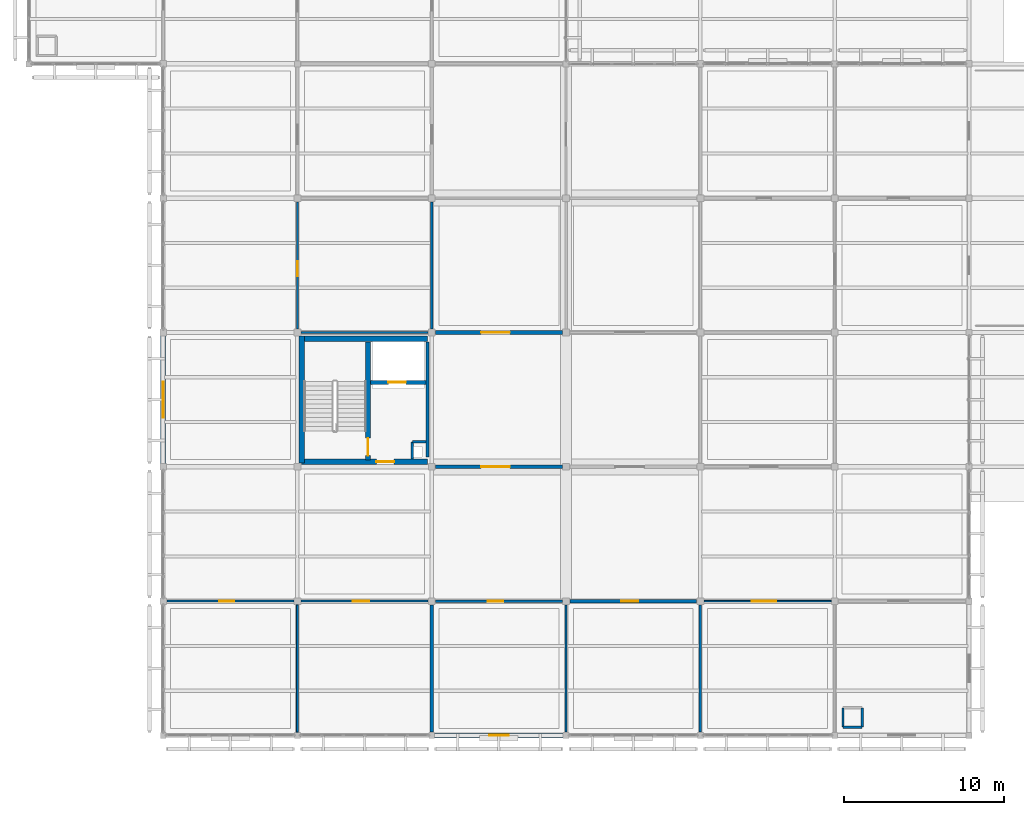
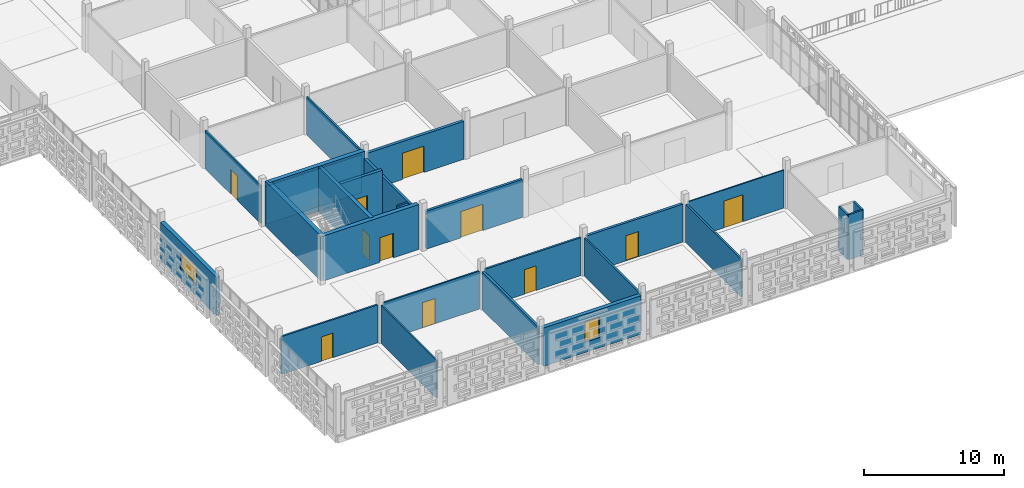
# One storey, part 96 of 166: 27 walls, 11 doors, 2 windows, 13 openings.
"""IFC4 building model written with IfcOpenShell, lengths in metres."""

from ifc_helpers import new_model, si_unit, direction, frame, frame_2d, origin, place, context, subcontext, project, spatial, rectangle, extrude, material, layer, layer_set, type_object, element, fill, save


model = new_model("IFC4")

# Units and contexts
model_context = context("Model", 3, precision=1e-05, world=origin(), true_north=direction((0.0, 1.0)))
body_context = subcontext(model_context, "Body", "Model", "MODEL_VIEW")
ifc_project = project(units=[si_unit("LENGTHUNIT", "METRE"), si_unit("AREAUNIT", "SQUARE_METRE"), si_unit("VOLUMEUNIT", "CUBIC_METRE"), si_unit("PLANEANGLEUNIT", "RADIAN"), si_unit("MASSUNIT", "GRAM", prefix="KILO")], contexts=[model_context])

# Site, building, storey
site_placement = place(None, origin())
site = spatial("IfcSite", under=ifc_project, at=site_placement, CompositionType="ELEMENT")
building_placement = place(site_placement, origin())
building = spatial("IfcBuilding", under=site, at=building_placement, Name="Varnapada Polytechnic", CompositionType="ELEMENT")
storey_placement = place(building_placement, frame((0.0, 0.0, 9.60009765625)))
storey = spatial("IfcBuildingStorey", under=building, at=storey_placement, Name="L02", CompositionType="ELEMENT", Elevation=9.60009765625)

# Walls
ifc_material_1 = material(Name="Autoclaved Aerated Concrete Block AAC-600", Category="concrete")
ifc_layer_1 = layer(ifc_material_1, 0.199951171875)
ifc_layer_set_1 = layer_set([ifc_layer_1], Name="Autoclaved Aerated Concrete Block AAC-600")
wall_type_1 = type_object("IfcWallType", Name="Interior Wall IW-01", PredefinedType="PARTITIONING", material=ifc_layer_set_1)
wall_1_placement = place(storey_placement, frame((24.93994140625, 24.60009765625, 0.0), z_axis=(0.0, 0.0, 1.0), x_axis=(0.0, -1.0, 0.0)))
element("IfcWall", 1, at=wall_1_placement, inside=storey, type_object=wall_type_1, Name="L02 C3 firefighting lobby east wall", PredefinedType="PARTITIONING", context=body_context, shape_type="SweptSolid", body=[
    extrude(rectangle(XDim=7.2001953125, YDim=0.199951171875, at=frame_2d((3.60009765625, 0.0))), origin(), (0.0, 0.0, 1.0), 3.31982421875),
])
ifc_layer_2 = layer(ifc_material_1, 0.14990234375)
ifc_layer_set_2 = layer_set([ifc_layer_2], Name="Autoclaved Aerated Concrete Block AAC-600")
wall_type_2 = type_object("IfcWallType", Name="Interior Wall IW-02", PredefinedType="PARTITIONING", material=ifc_layer_set_2)
wall_2_placement = place(storey_placement, frame((23.97998046875, 18.360107421875, 0.0), z_axis=(0.0, 0.0, 1.0), x_axis=(0.0, -1.0, 0.0)))
element("IfcWall", 2, at=wall_2_placement, inside=storey, type_object=wall_type_2, Name="L02 C3 riser shaft west wall", PredefinedType="PARTITIONING", context=body_context, shape_type="SweptSolid", body=[
    extrude(rectangle(XDim=1.06005859375, YDim=0.14990234375, at=frame_2d((0.530029296875, 0.0))), origin(), (0.0, 0.0, 1.0), 3.31982421875),
])
wall_3_placement = place(storey_placement, frame((23.97998046875, 18.360107421875, 0.0), z_axis=(0.0, 0.0, 1.0), x_axis=(1.0, 0.0, 0.0)))
element("IfcWall", 3, at=wall_3_placement, inside=storey, type_object=wall_type_2, Name="L02 C3 riser shaft north wall", PredefinedType="PARTITIONING", context=body_context, shape_type="SweptSolid", body=[
    extrude(rectangle(XDim=0.860107421875, YDim=0.14990234375, at=frame_2d((0.43017578125, 0.0))), origin(), (0.0, 0.0, 1.0), 3.31982421875),
])
wall_4_placement = place(storey_placement, frame((50.919921875, 0.52001953125, 0.0), z_axis=(0.0, 0.0, 1.0), x_axis=(1.0, 0.0, 0.0)))
element("IfcWall", 4, at=wall_4_placement, inside=storey, type_object=wall_type_2, Name="L02 enclosed service riser wall (7,1) S", PredefinedType="PARTITIONING", context=body_context, shape_type="SweptSolid", body=[
    extrude(rectangle(XDim=1.2001953125, YDim=0.14990234375, at=frame_2d((0.60009765625, 0.0))), origin(), (0.0, 0.0, 1.0), 3.929931640625),
])
for number, where, z_axis, x_axis, name in (
    (5, (52.1201171875, 0.52001953125, 0.0), (0.0, 0.0, 1.0), (0.0, 1.0, 0.0), "L02 enclosed service riser wall (7,1) E"),
    (6, (50.919921875, 1.719970703125, 0.0), (0.0, 0.0, 1.0), (0.0, -1.0, 0.0), "L02 enclosed service riser wall (7,1) W"),
):
    element("IfcWall", number, at=place(storey_placement, frame(where, z_axis=z_axis, x_axis=x_axis)), inside=storey, type_object=wall_type_2, Name=name, PredefinedType="PARTITIONING", context=body_context, shape_type="SweptSolid", body=[
        extrude(rectangle(XDim=1.199951171875, YDim=0.14990234375, at=frame_2d((0.60009765625, 0.0))), origin(), (0.0, 0.0, 1.0), 3.929931640625),
    ])
ifc_material_2 = material(Name="Gypsum Plasterboard Acoustic Partition")
ifc_layer_3 = layer(ifc_material_2, 0.125)
ifc_layer_set_3 = layer_set([ifc_layer_3], Name="Gypsum Plasterboard Acoustic Partition")
wall_type_3 = type_object("IfcWallType", Name="Interior Wall IW-03", PredefinedType="PARTITIONING", material=ifc_layer_set_3)
wall_5_placement = place(storey_placement, frame((16.800048828125, 0.199951171875, 0.0), z_axis=(0.0, 0.0, 1.0), x_axis=(0.0, 1.0, 0.0)))
element("IfcWall", 7, at=wall_5_placement, inside=storey, type_object=wall_type_3, Name="L02 interior partition IW-L02-01-00-V", PredefinedType="PARTITIONING", context=body_context, shape_type="SweptSolid", body=[
    extrude(rectangle(XDim=7.969970703125, YDim=0.125, at=frame_2d((3.98486328125, 0.0))), origin(), (0.0, 0.0, 1.0), 3.31982421875),
])

# Wall, opening, door
ifc_material_3 = material(Name="Moisture-Resistant Cement Board Partition")
ifc_layer_4 = layer(ifc_material_3, 0.139892578125)
ifc_layer_set_4 = layer_set([ifc_layer_4], Name="Moisture-Resistant Cement Board Partition")
wall_type_4 = type_object("IfcWallType", Name="Interior Wall IW-04", PredefinedType="PARTITIONING", material=ifc_layer_set_4)
wall_6_placement = place(storey_placement, frame((8.6298828125, 8.39990234375, 0.0), z_axis=(0.0, 0.0, 1.0), x_axis=(1.0, 0.0, 0.0)))
wall_6 = element("IfcWall", 8, at=wall_6_placement, inside=storey, type_object=wall_type_4, Name="L02 interior partition IW-L02-01-00-H", PredefinedType="PARTITIONING", context=body_context, shape_type="SweptSolid", body=[
    extrude(rectangle(XDim=7.940185546875, YDim=0.139892578125, at=frame_2d((3.97021484375, 0.0))), origin(), (0.0, 0.0, 1.0), 3.31982421875),
])
opening_1_placement = place(wall_6_placement, frame((3.27490234375, 0.0, 0.0)))
opening_1 = element("IfcOpeningElement", 9, at=opening_1_placement, cuts=wall_6, Name="Opening D-1106", PredefinedType="OPENING", context=body_context, shape_type="SweptSolid", body=[
    extrude(rectangle(XDim=0.949951171875, YDim=2.14990234375, at=frame_2d((0.47509765625, 1.074951171875))), frame((0.0, 0.079833984375, 0.0), z_axis=(0.0, -1.0, 0.0), x_axis=(1.0, 0.0, 0.0)), (0.0, 0.0, 1.0), 0.159912109375),
])
ifc_material_4 = material(Name="Moisture-Resistant HPL Timber", Category="wood")
door_type_1 = type_object("IfcDoorType", Name="Interior Door ID-03", OperationType="NOTDEFINED", PredefinedType="DOOR", material=ifc_material_4)
door_1_placement = place(opening_1_placement, frame((0.949951171875, 0.0, 0.0), z_axis=(0.0, 0.0, 1.0), x_axis=(-1.0, 0.0, 0.0)))
door_1 = element("IfcDoor", 10, at=door_1_placement, inside=storey, type_object=door_type_1, Name="L02 interior room door D-1106", OperationType="SINGLE_SWING_LEFT", OverallHeight=2.14990234375, OverallWidth=0.949951171875, PredefinedType="DOOR", context=body_context, shape_type="SweptSolid", body=[
    extrude(rectangle(XDim=0.949951171875, YDim=2.14990234375, at=frame_2d((0.47509765625, 1.074951171875))), frame((0.0, 0.02490234375, 0.0), z_axis=(0.0, -1.0, 0.0), x_axis=(1.0, 0.0, 0.0)), (0.0, 0.0, 1.0), 0.050048828125),
])
fill(opening_1, door_1)

wall_7_placement = place(storey_placement, frame((16.800048828125, 25.429931640625, 0.0), z_axis=(0.0, 0.0, 1.0), x_axis=(0.0, 1.0, 0.0)))
wall_7 = element("IfcWall", 11, at=wall_7_placement, inside=storey, type_object=wall_type_4, Name="L02 interior partition IW-L02-01-03-V", PredefinedType="PARTITIONING", context=body_context, shape_type="SweptSolid", body=[
    extrude(rectangle(XDim=7.940185546875, YDim=0.139892578125, at=frame_2d((3.97021484375, 0.0))), origin(), (0.0, 0.0, 1.0), 3.31982421875),
])
opening_2_placement = place(wall_7_placement, frame((3.27490234375, 0.0, 0.0)))
opening_2 = element("IfcOpeningElement", 12, at=opening_2_placement, cuts=wall_7, Name="Opening D-1107", PredefinedType="OPENING", context=body_context, shape_type="SweptSolid", body=[
    extrude(rectangle(XDim=0.949951171875, YDim=2.14990234375, at=frame_2d((0.47509765625, 1.074951171875))), frame((0.0, 0.079833984375, 0.0), z_axis=(0.0, -1.0, 0.0), x_axis=(1.0, 0.0, 0.0)), (0.0, 0.0, 1.0), 0.159912109375),
])
door_2_placement = place(opening_2_placement, origin())
door_2 = element("IfcDoor", 13, at=door_2_placement, inside=storey, type_object=door_type_1, Name="L02 interior room door D-1107", OperationType="SINGLE_SWING_RIGHT", OverallHeight=2.14990234375, OverallWidth=0.949951171875, PredefinedType="DOOR", context=body_context, shape_type="SweptSolid", body=[
    extrude(rectangle(XDim=0.949951171875, YDim=2.14990234375, at=frame_2d((0.47509765625, 1.074951171875))), frame((0.0, 0.02490234375, 0.0), z_axis=(0.0, -1.0, 0.0), x_axis=(1.0, 0.0, 0.0)), (0.0, 0.0, 1.0), 0.050048828125),
])
fill(opening_2, door_2)

# Walls
wall_8_placement = place(storey_placement, frame((17.030029296875, 25.199951171875, 0.0), z_axis=(0.0, 0.0, 1.0), x_axis=(1.0, 0.0, 0.0)))
element("IfcWall", 14, at=wall_8_placement, inside=storey, type_object=wall_type_4, Name="L02 interior partition IW-L02-02-02-H", PredefinedType="PARTITIONING", context=body_context, shape_type="SweptSolid", body=[
    extrude(rectangle(XDim=7.93994140625, YDim=0.139892578125, at=frame_2d((3.969970703125, 0.0))), origin(), (0.0, 0.0, 1.0), 3.31982421875),
])
wall_9_placement = place(storey_placement, frame((25.199951171875, 25.429931640625, 0.0), z_axis=(0.0, 0.0, 1.0), x_axis=(0.0, 1.0, 0.0)))
element("IfcWall", 15, at=wall_9_placement, inside=storey, type_object=wall_type_4, Name="L02 interior partition IW-L02-02-03-V", PredefinedType="PARTITIONING", context=body_context, shape_type="SweptSolid", body=[
    extrude(rectangle(XDim=7.940185546875, YDim=0.139892578125, at=frame_2d((3.97021484375, 0.0))), origin(), (0.0, 0.0, 1.0), 3.31982421875),
])

# Wall, opening, door
ifc_material_5 = material(Name="Operable Acoustic Seminar Partition")
ifc_layer_5 = layer(ifc_material_5, 0.10009765625)
ifc_layer_set_5 = layer_set([ifc_layer_5], Name="Operable Acoustic Seminar Partition")
wall_type_5 = type_object("IfcWallType", Name="Interior Wall IW-08", PredefinedType="MOVABLE", material=ifc_layer_set_5)
wall_10_placement = place(storey_placement, frame((42.22998046875, 8.39990234375, 0.0), z_axis=(0.0, 0.0, 1.0), x_axis=(1.0, 0.0, 0.0)))
wall_10 = element("IfcWall", 16, at=wall_10_placement, inside=storey, type_object=wall_type_5, Name="L02 interior partition IW-L02-05-00-H", PredefinedType="MOVABLE", context=body_context, shape_type="SweptSolid", body=[
    extrude(rectangle(XDim=7.93994140625, YDim=0.10009765625, at=frame_2d((3.969970703125, 0.0))), origin(), (0.0, 0.0, 1.0), 3.31982421875),
])
opening_3_placement = place(wall_10_placement, frame((2.97509765625, 0.0, 0.0)))
opening_3 = element("IfcOpeningElement", 17, at=opening_3_placement, cuts=wall_10, Name="Opening D-1132", PredefinedType="OPENING", context=body_context, shape_type="SweptSolid", body=[
    extrude(rectangle(XDim=1.550048828125, YDim=2.35009765625, at=frame_2d((0.77490234375, 1.175048828125))), frame((0.0, 0.06005859375, 0.0), z_axis=(0.0, -1.0, 0.0), x_axis=(1.0, 0.0, 0.0)), (0.0, 0.0, 1.0), 0.1201171875),
])
ifc_material_6 = material(Name="Galvanized Steel Z275", Category="steel")
door_type_2 = type_object("IfcDoorType", Name="Interior Door ID-12", OperationType="NOTDEFINED", PredefinedType="DOOR", material=ifc_material_6)
door_3_placement = place(opening_3_placement, origin())
door_3 = element("IfcDoor", 18, at=door_3_placement, inside=storey, type_object=door_type_2, Name="L02 interior room door D-1132", OperationType="SINGLE_SWING_LEFT", OverallHeight=2.35009765625, OverallWidth=1.550048828125, PredefinedType="DOOR", context=body_context, shape_type="SweptSolid", body=[
    extrude(rectangle(XDim=1.550048828125, YDim=2.35009765625, at=frame_2d((0.77490234375, 1.175048828125))), frame((0.0, 0.02490234375, 0.0), z_axis=(0.0, -1.0, 0.0), x_axis=(1.0, 0.0, 0.0)), (0.0, 0.0, 1.0), 0.050048828125),
])
fill(opening_3, door_3)

# Wall
ifc_material_7 = material(Name="Insulated Masonry Plant Room Wall", Category="masonry")
ifc_layer_6 = layer(ifc_material_7, 0.18994140625)
ifc_layer_set_6 = layer_set([ifc_layer_6], Name="Insulated Masonry Plant Room Wall")
wall_type_6 = type_object("IfcWallType", Name="Interior Wall IW-11", PredefinedType="PARTITIONING", material=ifc_layer_set_6)
wall_11_placement = place(storey_placement, frame((25.199951171875, 0.199951171875, 0.0), z_axis=(0.0, 0.0, 1.0), x_axis=(0.0, 1.0, 0.0)))
element("IfcWall", 19, at=wall_11_placement, inside=storey, type_object=wall_type_6, Name="L02 interior partition IW-L02-02-00-V", PredefinedType="PARTITIONING", context=body_context, shape_type="SweptSolid", body=[
    extrude(rectangle(XDim=7.969970703125, YDim=0.18994140625, at=frame_2d((3.98486328125, 0.0))), origin(), (0.0, 0.0, 1.0), 3.31982421875),
])

# Wall, opening, door
ifc_material_8 = material(Name="Timber-Stud Studio Critique Partition", Category="wood")
ifc_layer_7 = layer(ifc_material_8, 0.114990234375)
ifc_layer_set_7 = layer_set([ifc_layer_7], Name="Timber-Stud Studio Critique Partition")
wall_type_7 = type_object("IfcWallType", Name="Interior Wall IW-12", PredefinedType="PARTITIONING", material=ifc_layer_set_7)
wall_12_placement = place(storey_placement, frame((17.030029296875, 8.39990234375, 0.0), z_axis=(0.0, 0.0, 1.0), x_axis=(1.0, 0.0, 0.0)))
wall_12 = element("IfcWall", 20, at=wall_12_placement, inside=storey, type_object=wall_type_7, Name="L02 interior partition IW-L02-02-00-H", PredefinedType="PARTITIONING", context=body_context, shape_type="SweptSolid", body=[
    extrude(rectangle(XDim=7.93994140625, YDim=0.114990234375, at=frame_2d((3.969970703125, 0.0))), origin(), (0.0, 0.0, 1.0), 3.31982421875),
])
opening_4_placement = place(wall_12_placement, frame((3.22509765625, 0.0, 0.0)))
opening_4 = element("IfcOpeningElement", 21, at=opening_4_placement, cuts=wall_12, Name="Opening D-1112", PredefinedType="OPENING", context=body_context, shape_type="SweptSolid", body=[
    extrude(rectangle(XDim=1.050048828125, YDim=2.199951171875, at=frame_2d((0.52490234375, 1.10009765625))), frame((0.0, 0.0673828125, 0.0), z_axis=(0.0, -1.0, 0.0), x_axis=(1.0, 0.0, 0.0)), (0.0, 0.0, 1.0), 0.135009765625),
])
ifc_material_9 = material(Name="Solid Teak Hardwood Timber", Category="wood")
door_type_3 = type_object("IfcDoorType", Name="Interior Door ID-09", OperationType="NOTDEFINED", PredefinedType="DOOR", material=ifc_material_9)
door_4_placement = place(opening_4_placement, frame((1.050048828125, 0.0, 0.0), z_axis=(0.0, 0.0, 1.0), x_axis=(-1.0, 0.0, 0.0)))
door_4 = element("IfcDoor", 22, at=door_4_placement, inside=storey, type_object=door_type_3, Name="L02 interior room door D-1112", OperationType="SINGLE_SWING_LEFT", OverallHeight=2.199951171875, OverallWidth=1.050048828125, PredefinedType="DOOR", context=body_context, shape_type="SweptSolid", body=[
    extrude(rectangle(XDim=1.050048828125, YDim=2.199951171875, at=frame_2d((0.52490234375, 1.10009765625))), frame((0.0, 0.02490234375, 0.0), z_axis=(0.0, -1.0, 0.0), x_axis=(1.0, 0.0, 0.0)), (0.0, 0.0, 1.0), 0.050048828125),
])
fill(opening_4, door_4)

# Wall
ifc_material_10 = material(Name="Ceramic-Tiled Wet Laboratory Wall")
ifc_layer_8 = layer(ifc_material_10, 0.14501953125)
ifc_layer_set_8 = layer_set([ifc_layer_8], Name="Ceramic-Tiled Wet Laboratory Wall")
wall_type_8 = type_object("IfcWallType", Name="Interior Wall IW-14", PredefinedType="PARTITIONING", material=ifc_layer_set_8)
wall_13_placement = place(storey_placement, frame((33.60009765625, 0.199951171875, 0.0), z_axis=(0.0, 0.0, 1.0), x_axis=(0.0, 1.0, 0.0)))
element("IfcWall", 23, at=wall_13_placement, inside=storey, type_object=wall_type_8, Name="L02 interior partition IW-L02-03-00-V", PredefinedType="PARTITIONING", context=body_context, shape_type="SweptSolid", body=[
    extrude(rectangle(XDim=7.969970703125, YDim=0.14501953125, at=frame_2d((3.98486328125, 0.0))), origin(), (0.0, 0.0, 1.0), 3.31982421875),
])

# Wall, opening, door
ifc_material_11 = material(Name="Perforated Timber-Lined Seminar Wall", Category="wood")
ifc_layer_9 = layer(ifc_material_11, 0.155029296875)
ifc_layer_set_9 = layer_set([ifc_layer_9], Name="Perforated Timber-Lined Seminar Wall")
wall_type_9 = type_object("IfcWallType", Name="Interior Wall IW-15", PredefinedType="PARTITIONING", material=ifc_layer_set_9)
wall_14_placement = place(storey_placement, frame((25.429931640625, 8.39990234375, 0.0), z_axis=(0.0, 0.0, 1.0), x_axis=(1.0, 0.0, 0.0)))
wall_14 = element("IfcWall", 24, at=wall_14_placement, inside=storey, type_object=wall_type_9, Name="L02 interior partition IW-L02-03-00-H", PredefinedType="PARTITIONING", context=body_context, shape_type="SweptSolid", body=[
    extrude(rectangle(XDim=7.940185546875, YDim=0.155029296875, at=frame_2d((3.97021484375, 0.0))), origin(), (0.0, 0.0, 1.0), 3.31982421875),
])
opening_5_placement = place(wall_14_placement, frame((3.27490234375, 0.0, 0.0)))
opening_5 = element("IfcOpeningElement", 25, at=opening_5_placement, cuts=wall_14, Name="Opening D-1123", PredefinedType="OPENING", context=body_context, shape_type="SweptSolid", body=[
    extrude(rectangle(XDim=0.949951171875, YDim=2.14990234375, at=frame_2d((0.47509765625, 1.074951171875))), frame((0.0, 0.08740234375, 0.0), z_axis=(0.0, -1.0, 0.0), x_axis=(1.0, 0.0, 0.0)), (0.0, 0.0, 1.0), 0.175048828125),
])
door_5_placement = place(opening_5_placement, origin())
door_5 = element("IfcDoor", 26, at=door_5_placement, inside=storey, type_object=door_type_1, Name="L02 interior room door D-1123", OperationType="SINGLE_SWING_RIGHT", OverallHeight=2.14990234375, OverallWidth=0.949951171875, PredefinedType="DOOR", context=body_context, shape_type="SweptSolid", body=[
    extrude(rectangle(XDim=0.949951171875, YDim=2.14990234375, at=frame_2d((0.47509765625, 1.074951171875))), frame((0.0, 0.02490234375, 0.0), z_axis=(0.0, -1.0, 0.0), x_axis=(1.0, 0.0, 0.0)), (0.0, 0.0, 1.0), 0.050048828125),
])
fill(opening_5, door_5)

# Wall
wall_15_placement = place(storey_placement, frame((42.0, 0.199951171875, 0.0), z_axis=(0.0, 0.0, 1.0), x_axis=(0.0, 1.0, 0.0)))
element("IfcWall", 27, at=wall_15_placement, inside=storey, type_object=wall_type_9, Name="L02 interior partition IW-L02-04-00-V", PredefinedType="PARTITIONING", context=body_context, shape_type="SweptSolid", body=[
    extrude(rectangle(XDim=7.969970703125, YDim=0.155029296875, at=frame_2d((3.98486328125, 0.0))), origin(), (0.0, 0.0, 1.0), 3.31982421875),
])

# Wall, opening, door
ifc_material_12 = material(Name="Heavy Masonry Workshop Partition", Category="masonry")
ifc_layer_10 = layer(ifc_material_12, 0.2099609375)
ifc_layer_set_10 = layer_set([ifc_layer_10], Name="Heavy Masonry Workshop Partition")
wall_type_10 = type_object("IfcWallType", Name="Interior Wall IW-16", PredefinedType="PARTITIONING", material=ifc_layer_set_10)
wall_16_placement = place(storey_placement, frame((25.429931640625, 16.800048828125, 0.0), z_axis=(0.0, 0.0, 1.0), x_axis=(1.0, 0.0, 0.0)))
wall_16 = element("IfcWall", 28, at=wall_16_placement, inside=storey, type_object=wall_type_10, Name="L02 interior partition IW-L02-03-01-H", PredefinedType="PARTITIONING", context=body_context, shape_type="SweptSolid", body=[
    extrude(rectangle(XDim=7.940185546875, YDim=0.2099609375, at=frame_2d((3.97021484375, 0.0))), origin(), (0.0, 0.0, 1.0), 3.31982421875),
])
opening_6_placement = place(wall_16_placement, frame((2.85009765625, 0.0, 0.0)))
opening_6 = element("IfcOpeningElement", 29, at=opening_6_placement, cuts=wall_16, Name="Opening D-1124", PredefinedType="OPENING", context=body_context, shape_type="SweptSolid", body=[
    extrude(rectangle(XDim=1.800048828125, YDim=2.300048828125, at=frame_2d((0.89990234375, 1.14990234375))), frame((0.0, 0.114990234375, 0.0), z_axis=(0.0, -1.0, 0.0), x_axis=(1.0, 0.0, 0.0)), (0.0, 0.0, 1.0), 0.22998046875),
])
ifc_material_13 = material(Name="Acoustic Double Timber Leaf", Category="wood")
door_type_4 = type_object("IfcDoorType", Name="Interior Door ID-04", OperationType="NOTDEFINED", PredefinedType="DOOR", material=ifc_material_13)
door_6_placement = place(opening_6_placement, frame((1.800048828125, 0.0, 0.0), z_axis=(0.0, 0.0, 1.0), x_axis=(-1.0, 0.0, 0.0)))
door_6 = element("IfcDoor", 30, at=door_6_placement, inside=storey, type_object=door_type_4, Name="L02 interior room door D-1124", OperationType="SINGLE_SWING_LEFT", OverallHeight=2.300048828125, OverallWidth=1.800048828125, PredefinedType="DOOR", context=body_context, shape_type="SweptSolid", body=[
    extrude(rectangle(XDim=1.800048828125, YDim=2.300048828125, at=frame_2d((0.89990234375, 1.14990234375))), frame((0.0, 0.02490234375, 0.0), z_axis=(0.0, -1.0, 0.0), x_axis=(1.0, 0.0, 0.0)), (0.0, 0.0, 1.0), 0.050048828125),
])
fill(opening_6, door_6)

wall_17_placement = place(storey_placement, frame((33.830078125, 8.39990234375, 0.0), z_axis=(0.0, 0.0, 1.0), x_axis=(1.0, 0.0, 0.0)))
wall_17 = element("IfcWall", 31, at=wall_17_placement, inside=storey, type_object=wall_type_10, Name="L02 interior partition IW-L02-04-00-H", PredefinedType="PARTITIONING", context=body_context, shape_type="SweptSolid", body=[
    extrude(rectangle(XDim=7.93994140625, YDim=0.2099609375, at=frame_2d((3.969970703125, 0.0))), origin(), (0.0, 0.0, 1.0), 3.31982421875),
])
opening_7_placement = place(wall_17_placement, frame((3.22509765625, 0.0, 0.0)))
opening_7 = element("IfcOpeningElement", 32, at=opening_7_placement, cuts=wall_17, Name="Opening D-1129", PredefinedType="OPENING", context=body_context, shape_type="SweptSolid", body=[
    extrude(rectangle(XDim=1.050048828125, YDim=2.199951171875, at=frame_2d((0.52490234375, 1.10009765625))), frame((0.0, 0.114990234375, 0.0), z_axis=(0.0, -1.0, 0.0), x_axis=(1.0, 0.0, 0.0)), (0.0, 0.0, 1.0), 0.22998046875),
])
door_7_placement = place(opening_7_placement, origin())
door_7 = element("IfcDoor", 33, at=door_7_placement, inside=storey, type_object=door_type_3, Name="L02 interior room door D-1129", OperationType="SINGLE_SWING_RIGHT", OverallHeight=2.199951171875, OverallWidth=1.050048828125, PredefinedType="DOOR", context=body_context, shape_type="SweptSolid", body=[
    extrude(rectangle(XDim=1.050048828125, YDim=2.199951171875, at=frame_2d((0.52490234375, 1.10009765625))), frame((0.0, 0.02490234375, 0.0), z_axis=(0.0, -1.0, 0.0), x_axis=(1.0, 0.0, 0.0)), (0.0, 0.0, 1.0), 0.050048828125),
])
fill(opening_7, door_7)

ifc_material_14 = material(Name="Double-Leaf Acoustic Lecture Wall")
ifc_layer_11 = layer(ifc_material_14, 0.235107421875)
ifc_layer_set_11 = layer_set([ifc_layer_11], Name="Double-Leaf Acoustic Lecture Wall")
wall_type_11 = type_object("IfcWallType", Name="Interior Wall IW-17", PredefinedType="PARTITIONING", material=ifc_layer_set_11)
wall_18_placement = place(storey_placement, frame((25.429931640625, 25.199951171875, 0.0), z_axis=(0.0, 0.0, 1.0), x_axis=(1.0, 0.0, 0.0)))
wall_18 = element("IfcWall", 34, at=wall_18_placement, inside=storey, type_object=wall_type_11, Name="L02 interior partition IW-L02-03-02-H", PredefinedType="PARTITIONING", context=body_context, shape_type="SweptSolid", body=[
    extrude(rectangle(XDim=7.940185546875, YDim=0.235107421875, at=frame_2d((3.97021484375, 0.0))), origin(), (0.0, 0.0, 1.0), 3.31982421875),
])
opening_8_placement = place(wall_18_placement, frame((2.85009765625, 0.0, 0.0)))
opening_8 = element("IfcOpeningElement", 35, at=opening_8_placement, cuts=wall_18, Name="Opening D-1125", PredefinedType="OPENING", context=body_context, shape_type="SweptSolid", body=[
    extrude(rectangle(XDim=1.800048828125, YDim=2.300048828125, at=frame_2d((0.89990234375, 1.14990234375))), frame((0.0, 0.12744140625, 0.0), z_axis=(0.0, -1.0, 0.0), x_axis=(1.0, 0.0, 0.0)), (0.0, 0.0, 1.0), 0.255126953125),
])
door_8_placement = place(opening_8_placement, origin())
door_8 = element("IfcDoor", 36, at=door_8_placement, inside=storey, type_object=door_type_4, Name="L02 interior room door D-1125", OperationType="SINGLE_SWING_RIGHT", OverallHeight=2.300048828125, OverallWidth=1.800048828125, PredefinedType="DOOR", context=body_context, shape_type="SweptSolid", body=[
    extrude(rectangle(XDim=1.800048828125, YDim=2.300048828125, at=frame_2d((0.89990234375, 1.14990234375))), frame((0.0, 0.02490234375, 0.0), z_axis=(0.0, -1.0, 0.0), x_axis=(1.0, 0.0, 0.0)), (0.0, 0.0, 1.0), 0.050048828125),
])
fill(opening_8, door_8)

# Walls
ifc_material_15 = material(Name="Concrete C40/50", Category="concrete")
ifc_layer_12 = layer(ifc_material_15, 0.35009765625)
ifc_layer_set_12 = layer_set([ifc_layer_12], Name="Concrete C40/50")
wall_type_12 = type_object("IfcWallType", Name="Interior Wall SW-01", PredefinedType="SHEAR", material=ifc_layer_set_12)
wall_19_placement = place(storey_placement, frame((17.06494140625, 17.050048828125, 0.0), z_axis=(0.0, 0.0, 1.0), x_axis=(0.0, 1.0, 0.0)))
element("IfcWall", 37, at=wall_19_placement, inside=storey, type_object=wall_type_12, Name="L02 C3 stair west shear wall", PredefinedType="SHEAR", context=body_context, shape_type="SweptSolid", body=[
    extrude(rectangle(XDim=7.93994140625, YDim=0.35009765625, at=frame_2d((3.969970703125, 0.0))), origin(), (0.0, 0.0, 1.0), 3.929931640625),
])
wall_20_placement = place(storey_placement, frame((17.06494140625, 24.820068359375, 0.0), z_axis=(0.0, 0.0, 1.0), x_axis=(1.0, 0.0, 0.0)))
element("IfcWall", 38, at=wall_20_placement, inside=storey, type_object=wall_type_12, Name="L02 C3 core north shear wall", PredefinedType="SHEAR", context=body_context, shape_type="SweptSolid", body=[
    extrude(rectangle(XDim=7.875, YDim=0.35009765625, at=frame_2d((3.9375, 0.0))), origin(), (0.0, 0.0, 1.0), 3.929931640625),
])

# Wall, opening, door
wall_21_placement = place(storey_placement, frame((24.93994140625, 17.1201171875, 0.0), z_axis=(0.0, 0.0, 1.0), x_axis=(-1.0, 0.0, 0.0)))
wall_21 = element("IfcWall", 39, at=wall_21_placement, inside=storey, type_object=wall_type_12, Name="L02 C3 core south shear wall", PredefinedType="SHEAR", context=body_context, shape_type="SweptSolid", body=[
    extrude(rectangle(XDim=7.875, YDim=0.35009765625, at=frame_2d((3.9375, 0.0))), origin(), (0.0, 0.0, 1.0), 3.929931640625),
])
opening_9_placement = place(wall_21_placement, frame((2.10009765625, 0.0, 0.0)))
opening_9 = element("IfcOpeningElement", 40, at=opening_9_placement, cuts=wall_21, Name="Opening D-1088", PredefinedType="OPENING", context=body_context, shape_type="SweptSolid", body=[
    extrude(rectangle(XDim=1.10009765625, YDim=2.14990234375, at=frame_2d((0.550048828125, 1.074951171875))), frame((0.0, 0.18505859375, 0.0), z_axis=(0.0, -1.0, 0.0), x_axis=(1.0, 0.0, 0.0)), (0.0, 0.0, 1.0), 0.3701171875),
])
door_type_5 = type_object("IfcDoorType", Name="Interior Door ID-01", OperationType="NOTDEFINED", PredefinedType="DOOR", material=ifc_material_6)
door_9_placement = place(opening_9_placement, frame((1.10009765625, 0.0, 0.0), z_axis=(0.0, 0.0, 1.0), x_axis=(-1.0, 0.0, 0.0)))
door_9 = element("IfcDoor", 41, at=door_9_placement, inside=storey, type_object=door_type_5, Name="L02 C3 lobby fire door D-1088", OperationType="SINGLE_SWING_RIGHT", OverallHeight=2.14990234375, OverallWidth=1.10009765625, PredefinedType="DOOR", context=body_context, shape_type="SweptSolid", body=[
    extrude(rectangle(XDim=1.10009765625, YDim=2.14990234375, at=frame_2d((0.550048828125, 1.074951171875))), frame((0.0, 0.02490234375, 0.0), z_axis=(0.0, -1.0, 0.0), x_axis=(1.0, 0.0, 0.0)), (0.0, 0.0, 1.0), 0.050048828125),
])
fill(opening_9, door_9)

ifc_layer_13 = layer(ifc_material_15, 0.300048828125)
ifc_layer_set_13 = layer_set([ifc_layer_13], Name="Concrete C40/50")
wall_type_13 = type_object("IfcWallType", Name="Interior Wall SW-02", PredefinedType="SHEAR", material=ifc_layer_set_13)
wall_22_placement = place(storey_placement, frame((21.2099609375, 17.219970703125, 0.0), z_axis=(0.0, 0.0, 1.0), x_axis=(0.0, 1.0, 0.0)))
wall_22 = element("IfcWall", 42, at=wall_22_placement, inside=storey, type_object=wall_type_13, Name="L02 C3 stair-lobby dividing shear wall", PredefinedType="SHEAR", context=body_context, shape_type="SweptSolid", body=[
    extrude(rectangle(XDim=7.380126953125, YDim=0.300048828125, at=frame_2d((3.68994140625, 0.0))), origin(), (0.0, 0.0, 1.0), 3.929931640625),
])
opening_10_placement = place(wall_22_placement, frame((0.280029296875, 0.0, 0.0)))
opening_10 = element("IfcOpeningElement", 43, at=opening_10_placement, cuts=wall_22, Name="Opening D-1089", PredefinedType="OPENING", context=body_context, shape_type="SweptSolid", body=[
    extrude(rectangle(XDim=1.10009765625, YDim=2.14990234375, at=frame_2d((0.550048828125, 1.074951171875))), frame((0.0, 0.159912109375, 0.0), z_axis=(0.0, -1.0, 0.0), x_axis=(1.0, 0.0, 0.0)), (0.0, 0.0, 1.0), 0.320068359375),
])
door_10_placement = place(opening_10_placement, origin())
door_10 = element("IfcDoor", 44, at=door_10_placement, inside=storey, type_object=door_type_5, Name="L02 C3 exit stair door D-1089", OperationType="SINGLE_SWING_RIGHT", OverallHeight=2.14990234375, OverallWidth=1.10009765625, PredefinedType="DOOR", context=body_context, shape_type="SweptSolid", body=[
    extrude(rectangle(XDim=1.10009765625, YDim=2.14990234375, at=frame_2d((0.550048828125, 1.074951171875))), frame((0.0, 0.02490234375, 0.0), z_axis=(0.0, -1.0, 0.0), x_axis=(1.0, 0.0, 0.0)), (0.0, 0.0, 1.0), 0.050048828125),
])
fill(opening_10, door_10)

ifc_layer_14 = layer(ifc_material_15, 0.25)
ifc_layer_set_14 = layer_set([ifc_layer_14], Name="Concrete C40/50")
wall_type_14 = type_object("IfcWallType", Name="Interior Wall SW-05", PredefinedType="SHEAR", material=ifc_layer_set_14)
wall_23_placement = place(storey_placement, frame((21.3798828125, 22.080078125, 0.0), z_axis=(0.0, 0.0, 1.0), x_axis=(1.0, 0.0, 0.0)))
wall_23 = element("IfcWall", 45, at=wall_23_placement, inside=storey, type_object=wall_type_14, Name="L02 C3 lift shaft front wall", PredefinedType="SHEAR", context=body_context, shape_type="SweptSolid", body=[
    extrude(rectangle(XDim=3.460205078125, YDim=0.25, at=frame_2d((1.72998046875, 0.0))), origin(), (0.0, 0.0, 1.0), 3.929931640625),
])
opening_11_placement = place(wall_23_placement, frame((1.10009765625, 0.0, 0.0)))
opening_11 = element("IfcOpeningElement", 46, at=opening_11_placement, cuts=wall_23, Name="Opening LD-021", PredefinedType="OPENING", context=body_context, shape_type="SweptSolid", body=[
    extrude(rectangle(XDim=1.10009765625, YDim=2.14990234375, at=frame_2d((0.550048828125, 1.074951171875))), frame((0.0, 0.135009765625, 0.0), z_axis=(0.0, -1.0, 0.0), x_axis=(1.0, 0.0, 0.0)), (0.0, 0.0, 1.0), 0.27001953125),
])
ifc_material_16 = material(Name="Brushed Stainless Steel 316", Category="steel")
door_type_6 = type_object("IfcDoorType", Name="Interior Door LD-01", OperationType="NOTDEFINED", PredefinedType="DOOR", material=ifc_material_16)
door_11_placement = place(opening_11_placement, origin())
door_11 = element("IfcDoor", 47, at=door_11_placement, inside=storey, type_object=door_type_6, Name="L02 LFT-03 sliding lift landing door LD-021", OperationType="DOUBLE_DOOR_SLIDING", OverallHeight=2.14990234375, OverallWidth=1.10009765625, PredefinedType="DOOR", context=body_context, shape_type="SweptSolid", body=[
    extrude(rectangle(XDim=1.10009765625, YDim=2.14990234375, at=frame_2d((0.550048828125, 1.074951171875))), frame((0.0, 0.02490234375, 0.0), z_axis=(0.0, -1.0, 0.0), x_axis=(1.0, 0.0, 0.0)), (0.0, 0.0, 1.0), 0.050048828125),
])
fill(opening_11, door_11)

# Wall, opening, window
ifc_material_17 = material(Name="Precast concrete C40/50", Category="concrete")
ifc_layer_15 = layer(ifc_material_17, 0.320068359375)
ifc_layer_set_15 = layer_set([ifc_layer_15], Name="Precast concrete C40/50")
wall_type_15 = type_object("IfcWallType", Name="Wall EW-04", PredefinedType="SOLIDWALL", material=ifc_layer_set_15)
wall_24_placement = place(storey_placement, frame((8.39990234375, 17.010009765625, 0.0), z_axis=(0.0, 0.0, 1.0), x_axis=(0.0, 1.0, 0.0)))
wall_24 = element("IfcWall", 48, at=wall_24_placement, inside=storey, type_object=wall_type_15, Name="L02 exterior wall EW-04 (16)", PredefinedType="SOLIDWALL", context=body_context, shape_type="SweptSolid", body=[
    extrude(rectangle(XDim=7.97998046875, YDim=0.320068359375, at=frame_2d((3.989990234375, 0.0))), origin(), (0.0, 0.0, 1.0), 3.35986328125),
])
opening_12_placement = place(wall_24_placement, frame((2.864990234375, 0.0, 0.89990234375)))
opening_12 = element("IfcOpeningElement", 49, at=opening_12_placement, cuts=wall_24, Name="Opening WN-33", PredefinedType="OPENING", context=body_context, shape_type="SweptSolid", body=[
    extrude(rectangle(XDim=2.25, YDim=1.60009765625, at=frame_2d((1.125, 0.800048828125))), frame((0.0, 0.169921875, 0.0), z_axis=(0.0, -1.0, 0.0), x_axis=(1.0, 0.0, 0.0)), (0.0, 0.0, 1.0), 0.340087890625),
])
ifc_material_18 = material(Name="Double low-E laminated glass", Category="glass")
window_type_1 = type_object("IfcWindowType", Name="Window WN-33", PartitioningType="SINGLE_PANEL", PredefinedType="WINDOW", material=ifc_material_18)
window_1_placement = place(opening_12_placement, origin())
window_1 = element("IfcWindow", 50, at=window_1_placement, inside=storey, type_object=window_type_1, Name="L02 window WN-33 (107)", OverallHeight=1.60009765625, OverallWidth=2.25, PartitioningType="SINGLE_PANEL", PredefinedType="WINDOW", context=body_context, shape_type="SweptSolid", body=[
    extrude(rectangle(XDim=2.25, YDim=1.60009765625, at=frame_2d((1.125, 0.800048828125))), frame((0.0, 0.030029296875, 0.0), z_axis=(0.0, -1.0, 0.0), x_axis=(1.0, 0.0, 0.0)), (0.0, 0.0, 1.0), 0.06005859375),
])
fill(opening_12, window_1)

wall_25_placement = place(storey_placement, frame((33.419921875, 0.0, 0.0), z_axis=(0.0, 0.0, 1.0), x_axis=(-1.0, 0.0, 0.0)))
wall_25 = element("IfcWall", 51, at=wall_25_placement, inside=storey, type_object=wall_type_15, Name="L02 exterior wall EW-04 (22)", PredefinedType="SOLIDWALL", context=body_context, shape_type="SweptSolid", body=[
    extrude(rectangle(XDim=8.0400390625, YDim=0.320068359375, at=frame_2d((4.02001953125, 0.0))), origin(), (0.0, 0.0, 1.0), 3.35986328125),
])
opening_13_placement = place(wall_25_placement, frame((3.419921875, 0.0, 0.89990234375)))
opening_13 = element("IfcOpeningElement", 52, at=opening_13_placement, cuts=wall_25, Name="Opening WN-01", PredefinedType="OPENING", context=body_context, shape_type="SweptSolid", body=[
    extrude(rectangle(XDim=1.199951171875, YDim=1.800048828125, at=frame_2d((0.60009765625, 0.89990234375))), frame((0.0, 0.169921875, 0.0), z_axis=(0.0, -1.0, 0.0), x_axis=(1.0, 0.0, 0.0)), (0.0, 0.0, 1.0), 0.340087890625),
])
window_type_2 = type_object("IfcWindowType", Name="Window WN-01", PartitioningType="SINGLE_PANEL", PredefinedType="WINDOW", material=ifc_material_18)
window_2_placement = place(opening_13_placement, origin())
window_2 = element("IfcWindow", 53, at=window_2_placement, inside=storey, type_object=window_type_2, Name="L02 window WN-01 (109)", OverallHeight=1.800048828125, OverallWidth=1.199951171875, PartitioningType="SINGLE_PANEL", PredefinedType="WINDOW", context=body_context, shape_type="SweptSolid", body=[
    extrude(rectangle(XDim=1.199951171875, YDim=1.800048828125, at=frame_2d((0.60009765625, 0.89990234375))), frame((0.0, 0.030029296875, 0.0), z_axis=(0.0, -1.0, 0.0), x_axis=(1.0, 0.0, 0.0)), (0.0, 0.0, 1.0), 0.06005859375),
])
fill(opening_13, window_2)

save(model, "model.ifc")
